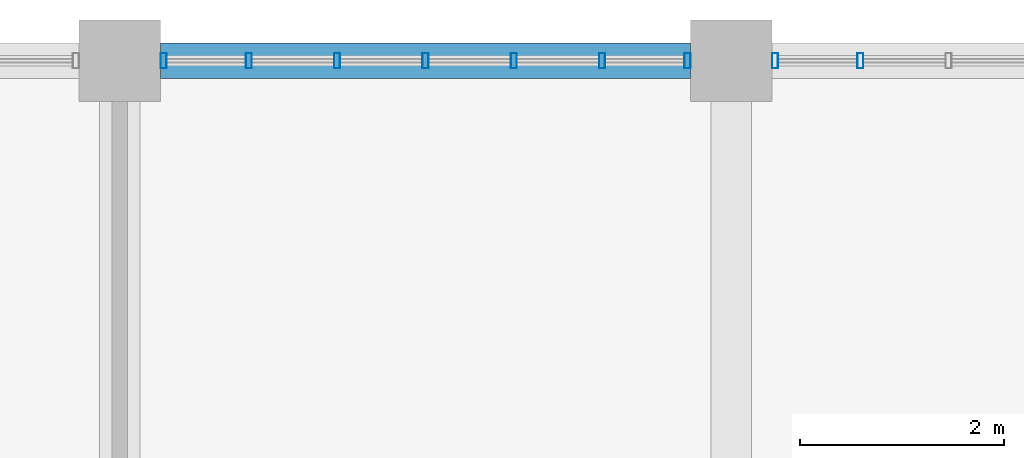
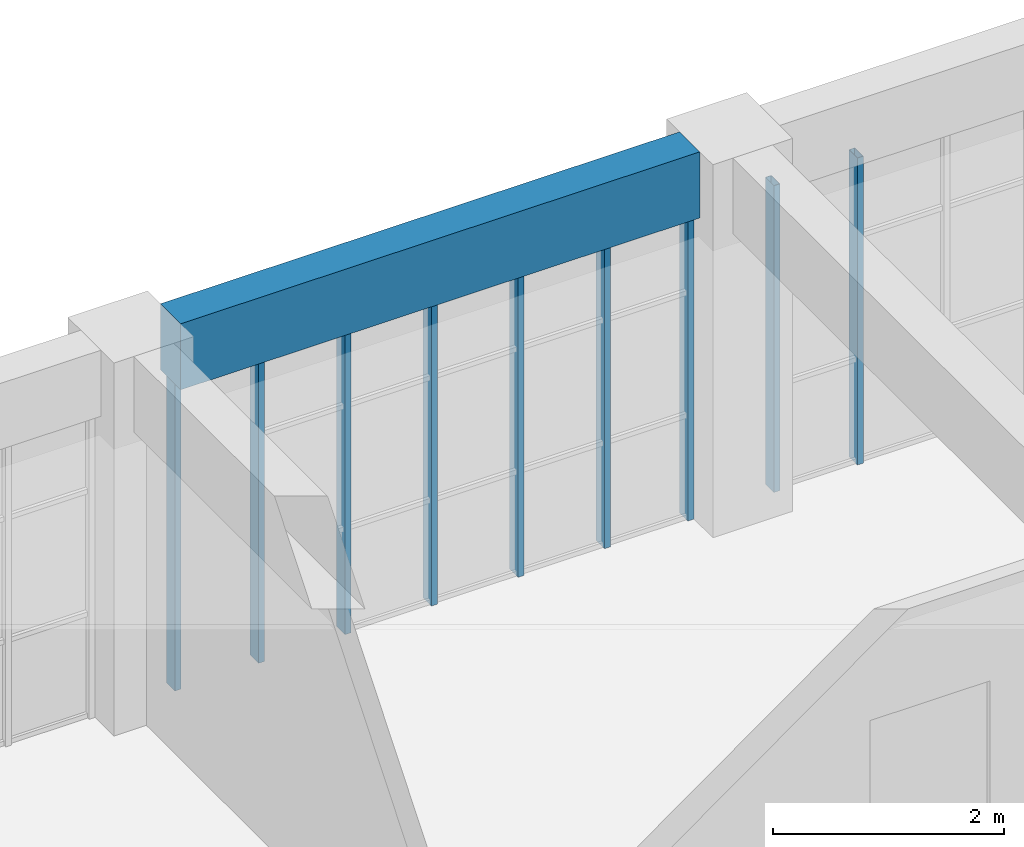
# One storey, part 10 of 51: 9 members, 1 beam, 2 elements without a shape of their own.
"""IFC4 building model written with IfcOpenShell, lengths in metres."""

from ifc_helpers import new_model, si_unit, direction, frame, origin, origin_2d, place, context, subcontext, project, spatial, rectangle, hollow_rectangle, extrude, material, material_profile, profile_set, type_object, element, aggregate, save


model = new_model("IFC4")

# Units and contexts
model_context = context("Model", 3, precision=1e-05, world=origin(), true_north=direction((0.0, 1.0)))
body_context = subcontext(model_context, "Body", "Model", "MODEL_VIEW")
ifc_project = project(units=[si_unit("LENGTHUNIT", "METRE"), si_unit("AREAUNIT", "SQUARE_METRE"), si_unit("VOLUMEUNIT", "CUBIC_METRE"), si_unit("PLANEANGLEUNIT", "RADIAN"), si_unit("MASSUNIT", "GRAM", prefix="KILO")], contexts=[model_context])

# Site, building, storey
site_placement = place(None, origin())
site = spatial("IfcSite", under=ifc_project, at=site_placement, CompositionType="ELEMENT")
building_placement = place(site_placement, origin())
building = spatial("IfcBuilding", under=site, at=building_placement, Name="Laocheng Heights Fire and Rescue Headquarters", CompositionType="ELEMENT")
storey_placement = place(building_placement, frame((0.0, 0.0, 21.0)))
storey = spatial("IfcBuildingStorey", under=building, at=storey_placement, Name="L05", CompositionType="ELEMENT", Elevation=21.0)

# Curtain wall, members
ifc_material_1 = material(Name="Dark anodised aluminium unitised curtain wall, low-e double glazing", Category="aluminium")
curtain_wall_type = type_object("IfcCurtainWallType", Name="CW 5200 x 3250 HQ NORTH GLAZING", PredefinedType="NOTDEFINED", material=ifc_material_1)
curtain_wall_1_placement = place(storey_placement, origin())
curtain_wall_1 = element("IfcCurtainWall", 1, at=curtain_wall_1_placement, inside=storey, type_object=curtain_wall_type, Name="X26-X HQ NORTH L05", PredefinedType="NOTDEFINED")
ifc_material_2 = material(Name="Dark anodised aluminium 6063-T5 extrusion", Category="aluminium")
ifc_material_profile_1 = material_profile(ifc_material_2, hollow_rectangle(XDim=0.14990234375, YDim=0.06005859375, WallThickness=0.0029296875, at=origin_2d()), Name="AL MULLION 150x60x3 HQ NORTH GLAZING")
ifc_profile_set_1 = profile_set([ifc_material_profile_1], Name="Dark anodised aluminium 6063-T5 extrusion")
member_type = type_object("IfcMemberType", Name="AL MULLION 150x60x3 HQ NORTH GLAZING", PredefinedType="MULLION", material=ifc_profile_set_1)
member_1_placement = place(storey_placement, frame((48.429931640625, 72.0, 0.0), z_axis=(0.0, 0.0, 1.0), x_axis=(0.0, 1.0, 0.0)))
member_1 = element("IfcMember", 2, at=member_1_placement, type_object=member_type, Name="X26-X mullion 1", PredefinedType="MULLION", context=body_context, shape_type="SweptSolid", body=[
    extrude(hollow_rectangle(XDim=0.14990234375, YDim=0.06005859375, WallThickness=0.0029296875, at=origin_2d()), origin(), (0.0, 0.0, 1.0), 3.25),
])
member_2_placement = place(storey_placement, frame((49.2666015625, 72.0, 0.0), z_axis=(0.0, 0.0, 1.0), x_axis=(0.0, 1.0, 0.0)))
member_2 = element("IfcMember", 3, at=member_2_placement, type_object=member_type, Name="X26-X mullion 2", PredefinedType="MULLION", context=body_context, shape_type="SweptSolid", body=[
    extrude(hollow_rectangle(XDim=0.14990234375, YDim=0.06005859375, WallThickness=0.0029296875, at=origin_2d()), origin(), (0.0, 0.0, 1.0), 3.25),
])
member_3_placement = place(storey_placement, frame((50.13330078125, 72.0, 0.0), z_axis=(0.0, 0.0, 1.0), x_axis=(0.0, 1.0, 0.0)))
member_3 = element("IfcMember", 4, at=member_3_placement, type_object=member_type, Name="X26-X mullion 3", PredefinedType="MULLION", context=body_context, shape_type="SweptSolid", body=[
    extrude(hollow_rectangle(XDim=0.14990234375, YDim=0.06005859375, WallThickness=0.0029296875, at=origin_2d()), origin(), (0.0, 0.0, 1.0), 3.25),
])
member_4_placement = place(storey_placement, frame((51.0, 72.0, 0.0), z_axis=(0.0, 0.0, 1.0), x_axis=(0.0, 1.0, 0.0)))
member_4 = element("IfcMember", 5, at=member_4_placement, type_object=member_type, Name="X26-X mullion 4", PredefinedType="MULLION", context=body_context, shape_type="SweptSolid", body=[
    extrude(hollow_rectangle(XDim=0.14990234375, YDim=0.06005859375, WallThickness=0.0029296875, at=origin_2d()), origin(), (0.0, 0.0, 1.0), 3.25),
])
member_5_placement = place(storey_placement, frame((51.86669921875, 72.0, 0.0), z_axis=(0.0, 0.0, 1.0), x_axis=(0.0, 1.0, 0.0)))
member_5 = element("IfcMember", 6, at=member_5_placement, type_object=member_type, Name="X26-X mullion 5", PredefinedType="MULLION", context=body_context, shape_type="SweptSolid", body=[
    extrude(hollow_rectangle(XDim=0.14990234375, YDim=0.06005859375, WallThickness=0.0029296875, at=origin_2d()), origin(), (0.0, 0.0, 1.0), 3.25),
])
member_6_placement = place(storey_placement, frame((52.7333984375, 72.0, 0.0), z_axis=(0.0, 0.0, 1.0), x_axis=(0.0, 1.0, 0.0)))
member_6 = element("IfcMember", 7, at=member_6_placement, type_object=member_type, Name="X26-X mullion 6", PredefinedType="MULLION", context=body_context, shape_type="SweptSolid", body=[
    extrude(hollow_rectangle(XDim=0.14990234375, YDim=0.06005859375, WallThickness=0.0029296875, at=origin_2d()), origin(), (0.0, 0.0, 1.0), 3.25),
])
member_7_placement = place(storey_placement, frame((53.570068359375, 72.0, 0.0), z_axis=(0.0, 0.0, 1.0), x_axis=(0.0, 1.0, 0.0)))
member_7 = element("IfcMember", 8, at=member_7_placement, type_object=member_type, Name="X26-X mullion 7", PredefinedType="MULLION", context=body_context, shape_type="SweptSolid", body=[
    extrude(hollow_rectangle(XDim=0.14990234375, YDim=0.06005859375, WallThickness=0.0029296875, at=origin_2d()), origin(), (0.0, 0.0, 1.0), 3.25),
])
aggregate(curtain_wall_1, [member_1, member_2, member_3, member_4, member_5, member_6, member_7])

curtain_wall_2_placement = place(storey_placement, origin())
curtain_wall_2 = element("IfcCurtainWall", 9, at=curtain_wall_2_placement, inside=storey, type_object=curtain_wall_type, Name="X26-X HQ NORTH L05", PredefinedType="NOTDEFINED")
member_8_placement = place(storey_placement, frame((54.429931640625, 72.0, 0.0), z_axis=(0.0, 0.0, 1.0), x_axis=(0.0, 1.0, 0.0)))
member_8 = element("IfcMember", 10, at=member_8_placement, type_object=member_type, Name="X26-X mullion 1", PredefinedType="MULLION", context=body_context, shape_type="SweptSolid", body=[
    extrude(hollow_rectangle(XDim=0.14990234375, YDim=0.06005859375, WallThickness=0.0029296875, at=origin_2d()), origin(), (0.0, 0.0, 1.0), 3.25),
])
member_9_placement = place(storey_placement, frame((55.2666015625, 72.0, 0.0), z_axis=(0.0, 0.0, 1.0), x_axis=(0.0, 1.0, 0.0)))
member_9 = element("IfcMember", 11, at=member_9_placement, type_object=member_type, Name="X26-X mullion 2", PredefinedType="MULLION", context=body_context, shape_type="SweptSolid", body=[
    extrude(hollow_rectangle(XDim=0.14990234375, YDim=0.06005859375, WallThickness=0.0029296875, at=origin_2d()), origin(), (0.0, 0.0, 1.0), 3.25),
])
aggregate(curtain_wall_2, [member_8, member_9])

# Beam
ifc_material_3 = material(Name="Concrete C40", Category="concrete")
ifc_material_profile_2 = material_profile(ifc_material_3, rectangle(XDim=0.35009765625, YDim=0.699951171875, at=origin_2d()), Name="RC BEAM 350x700 HQ ROOF")
ifc_profile_set_2 = profile_set([ifc_material_profile_2], Name="Concrete C40")
beam_type = type_object("IfcBeamType", Name="RC BEAM 350x700 HQ ROOF", PredefinedType="BEAM", material=ifc_profile_set_2)
beam_placement = place(storey_placement, frame((48.39990234375, 72.0, 3.60009765625), z_axis=(1.0, 0.0, 0.0), x_axis=(0.0, 1.0, 0.0)))
element("IfcBeam", 12, at=beam_placement, inside=storey, type_object=beam_type, Name="HQ beam L05", PredefinedType="BEAM", context=body_context, shape_type="SweptSolid", body=[
    extrude(rectangle(XDim=0.35009765625, YDim=0.699951171875, at=origin_2d()), origin(), (0.0, 0.0, 1.0), 5.2001953125),
])

save(model, "model.ifc")
